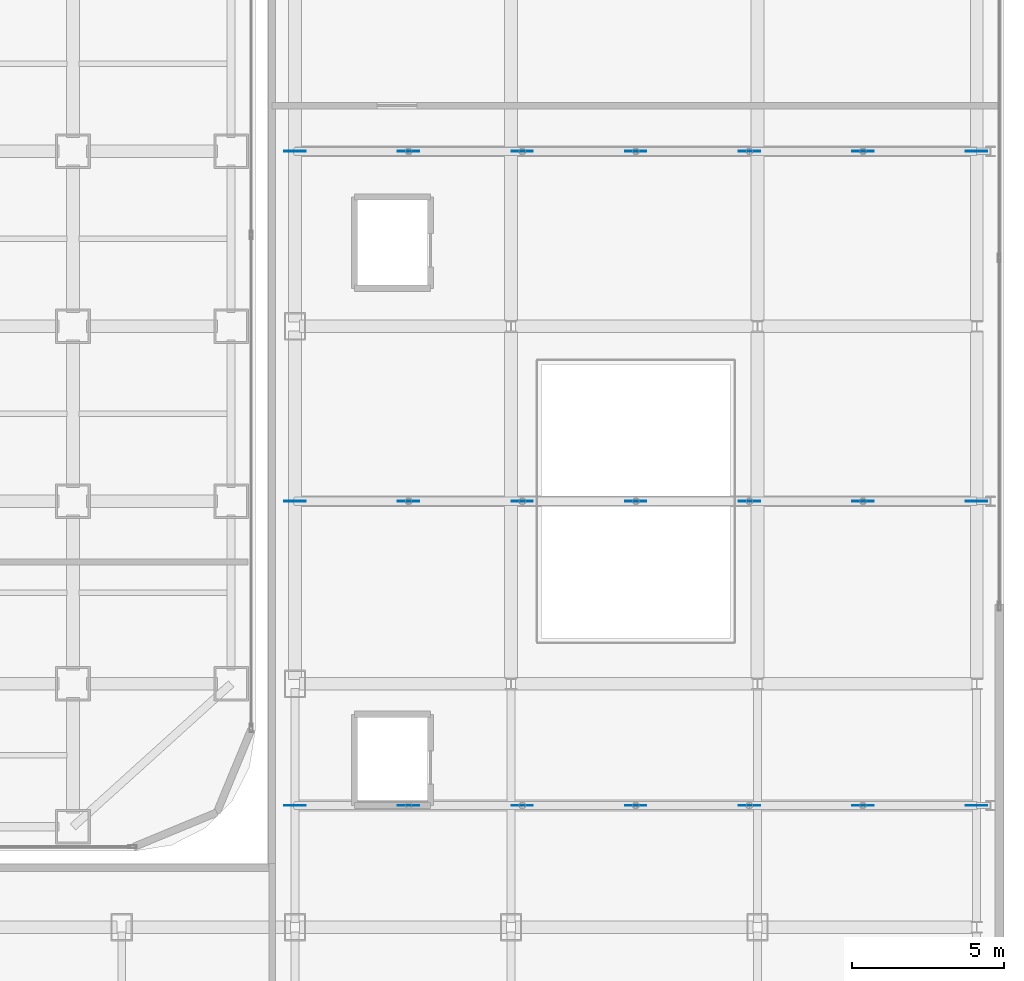
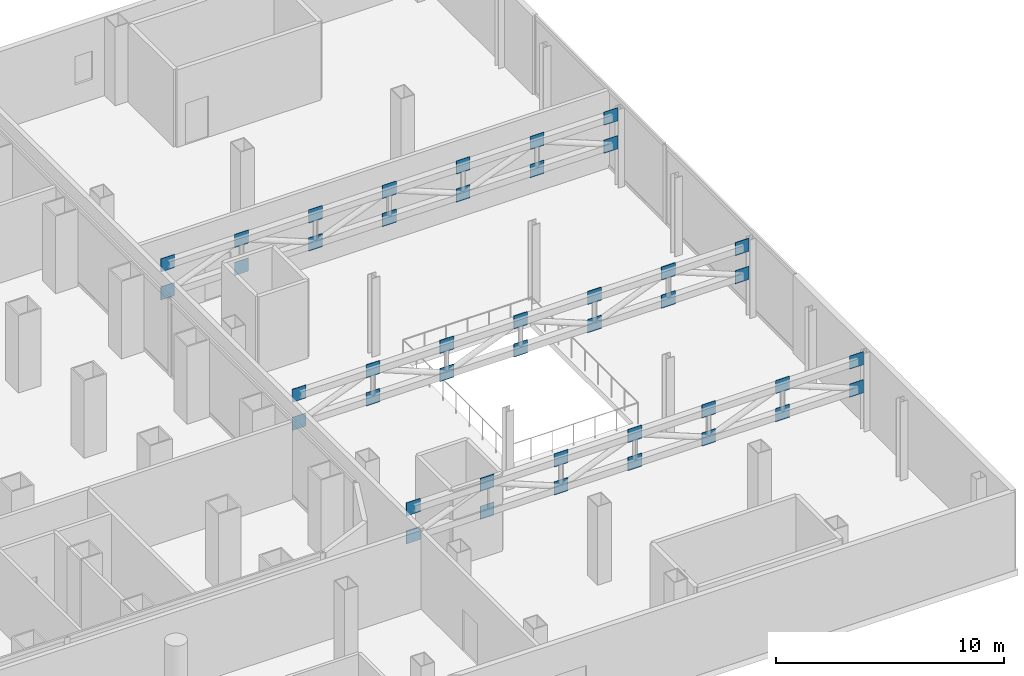
# One storey, part 21 of 28: 42 plates.
"""IFC4 building model written with IfcOpenShell, lengths in metres."""

import ifcopenshell
import ifcopenshell.guid

model = None  # the IFC model being written
_history = None  # IfcOwnerHistory: only IFC2X3 demands one
_inside = {}  # id of a spatial element -> (the spatial element, [elements in it])
_under = {}  # id of a project, library or spatial element -> (it, [spatial elements below it])
_declared = {}  # id of a project -> (the project, [libraries it declares])
_typed = {}  # id of a type object -> (the type object, [elements of that type])
_made_of = {}  # id of a material, layer set ... -> (it, [elements and type objects made of it])


def new_model(schema):
    """Start an empty IFC model of exactly this schema.

    Asked for "IFC4X3", IfcOpenShell would pick the latest addendum, in which some entities
    have other attributes; the version numbers below select the first issue.
    IFC2X3 requires an IfcOwnerHistory on every rooted entity: one is made here for all.
    """
    global model, _history
    if schema == "IFC4X3":
        model = ifcopenshell.file(schema_version=(4, 3, 0, 0))
    else:
        model = ifcopenshell.file(schema=schema)
    _inside.clear()
    _under.clear()
    _declared.clear()
    _typed.clear()
    _made_of.clear()
    _history = None
    if model.schema == "IFC2X3":
        org = make("IfcOrganization", Name="unknown")
        user = make(
            "IfcPersonAndOrganization",
            ThePerson=make("IfcPerson", FamilyName="unknown"),
            TheOrganization=org,
        )
        app = make(
            "IfcApplication",
            ApplicationDeveloper=org,
            Version="unknown",
            ApplicationFullName="unknown",
            ApplicationIdentifier="unknown",
        )
        _history = make(
            "IfcOwnerHistory",
            OwningUser=user,
            OwningApplication=app,
            ChangeAction="ADDED",
            CreationDate=0,
        )
    return model


def make(cls, **values):
    """One entity of the class cls with the attributes given. An attribute that is None is left unset."""
    return model.create_entity(
        cls, **{name: value for name, value in values.items() if value is not None}
    )


def rooted(cls, **values):
    """An entity with a GlobalId (a new one), such as an element, a storey or a relation."""
    return make(cls, GlobalId=ifcopenshell.guid.new(), OwnerHistory=_history, **values)


def si_unit(unit_type, name, prefix=None):
    """IfcSIUnit, for example si_unit("LENGTHUNIT", "METRE", prefix="MILLI")."""
    return make("IfcSIUnit", UnitType=unit_type, Prefix=prefix, Name=name)


def assignment(units):
    """IfcUnitAssignment: the units of a project."""
    return None if units is None else make("IfcUnitAssignment", Units=units)


def point(xyz):
    """IfcCartesianPoint."""
    return None if xyz is None else make("IfcCartesianPoint", Coordinates=xyz)


def direction(xyz):
    """IfcDirection."""
    return None if xyz is None else make("IfcDirection", DirectionRatios=xyz)


def frame(location, z_axis=None, x_axis=None):
    """IfcAxis2Placement3D, a coordinate frame: its origin and axes. An axis left out is left unset."""
    return make(
        "IfcAxis2Placement3D",
        Location=point(location),
        Axis=direction(z_axis),
        RefDirection=direction(x_axis),
    )


def frame_2d(location, x_axis=None):
    """IfcAxis2Placement2D, a coordinate frame in the plane: its origin and x axis."""
    return make(
        "IfcAxis2Placement2D", Location=point(location), RefDirection=direction(x_axis)
    )


def origin():
    """The frame at (0, 0, 0) with its axes left unset."""
    return frame((0.0, 0.0, 0.0))


def origin_2d():
    """The frame at (0, 0) in the plane with its x axis left unset."""
    return frame_2d((0.0, 0.0))


def place(relative_to, where):
    """IfcLocalPlacement: puts the frame where relative to a parent placement (None: the world)."""
    return make(
        "IfcLocalPlacement", PlacementRelTo=relative_to, RelativePlacement=where
    )


def context(
    kind, dimensions, precision=None, world=None, true_north=None, identifier=None
):
    """IfcGeometricRepresentationContext, for example the 3D "Model" context."""
    return make(
        "IfcGeometricRepresentationContext",
        ContextIdentifier=identifier,
        ContextType=kind,
        CoordinateSpaceDimension=dimensions,
        Precision=precision,
        WorldCoordinateSystem=world,
        TrueNorth=true_north,
    )


def subcontext(parent, identifier, kind, view, scale=None):
    """IfcGeometricRepresentationSubContext, for example "Body" below "Model"."""
    return make(
        "IfcGeometricRepresentationSubContext",
        ContextIdentifier=identifier,
        ContextType=kind,
        ParentContext=parent,
        TargetScale=scale,
        TargetView=view,
    )


def project(units=None, contexts=None):
    """IfcProject with its units and contexts."""
    return rooted(
        "IfcProject",
        Name="project",
        RepresentationContexts=contexts,
        UnitsInContext=assignment(units),
    )


def spatial(cls, under=None, at=None, **own):
    """A site, building, storey or space (cls), placed at a placement, below another one or the project."""
    s = rooted(cls, ObjectPlacement=at, **own)
    if under is not None:
        _under.setdefault(under.id(), (under, []))[1].append(s)
    return s


def profile(cls, at=None, kind="AREA", **sizes):
    """A parametric profile (cls). Its sizes go by their IFC names, for example OverallWidth=200.0."""
    return make(cls, ProfileType=kind, Position=at, **sizes)


def rectangle(**sizes):
    """IfcRectangleProfileDef."""
    return profile("IfcRectangleProfileDef", **sizes)


def extrude(swept, where, along, depth):
    """IfcExtrudedAreaSolid: the profile swept, set in the frame where, extruded along a direction by depth."""
    return make(
        "IfcExtrudedAreaSolid",
        SweptArea=swept,
        Position=where,
        ExtrudedDirection=direction(along),
        Depth=depth,
    )


def shape(context_of_items, identifier, shape_type, items):
    """IfcShapeRepresentation: the items that make up one representation, for example the "Body"."""
    return make(
        "IfcShapeRepresentation",
        ContextOfItems=context_of_items,
        RepresentationIdentifier=identifier,
        RepresentationType=shape_type,
        Items=items,
    )


def source(mapping_origin, context_of_items, identifier, shape_type, items):
    """IfcRepresentationMap: a shape defined once, which mapped items show again and again."""
    return make(
        "IfcRepresentationMap",
        MappingOrigin=mapping_origin,
        MappedRepresentation=shape(context_of_items, identifier, shape_type, items),
    )


def transform(
    local_origin,
    x_axis=None,
    y_axis=None,
    z_axis=None,
    scale=None,
    scale2=None,
    scale3=None,
    uniform=True,
):
    """IfcCartesianTransformationOperator3D, or its non-uniform kind. x_axis, y_axis, z_axis: its Axis1, 2, 3."""
    if uniform:
        return make(
            "IfcCartesianTransformationOperator3D",
            Axis1=direction(x_axis),
            Axis2=direction(y_axis),
            LocalOrigin=point(local_origin),
            Scale=scale,
            Axis3=direction(z_axis),
        )
    return make(
        "IfcCartesianTransformationOperator3DnonUniform",
        Axis1=direction(x_axis),
        Axis2=direction(y_axis),
        LocalOrigin=point(local_origin),
        Scale=scale,
        Axis3=direction(z_axis),
        Scale2=scale2,
        Scale3=scale3,
    )


def mapped(mapping_source, mapping_target):
    """IfcMappedItem: shows the shape of a source again, moved by a transform."""
    return make(
        "IfcMappedItem", MappingSource=mapping_source, MappingTarget=mapping_target
    )


def material(Name=None, Category=None):
    """IfcMaterial."""
    return make("IfcMaterial", Name=Name, Category=Category)


def layer(
    of_material, thickness, ventilated=None, Name=None, Category=None, Priority=None
):
    """IfcMaterialLayer: one layer of a wall or slab, of a material (None: an air gap)."""
    return make(
        "IfcMaterialLayer",
        Material=of_material,
        LayerThickness=thickness,
        IsVentilated=ventilated,
        Name=Name,
        Category=Category,
        Priority=Priority,
    )


def layer_set(layers, Name=None):
    """IfcMaterialLayerSet."""
    return make("IfcMaterialLayerSet", MaterialLayers=layers, LayerSetName=Name)


def made_of(thing, what):
    """Note that an element or type object is made of a material, layer set ...; save() writes the relation."""
    if what is not None:
        _made_of.setdefault(what.id(), (what, []))[1].append(thing)
    return thing


def type_object(cls, material=None, **own):
    """A type object (cls), such as IfcWallType, which elements share."""
    return made_of(rooted(cls, **own), material)


def element(
    cls,
    number,
    at=None,
    inside=None,
    cuts=None,
    type_object=None,
    material=None,
    context=None,
    identifier="Body",
    shape_type=None,
    held_by="IfcProductDefinitionShape",
    body=None,
    shapes=None,
    **own,
):
    """One element of the class cls, such as IfcWall. Its Tag is "e" and its number.

    at: its placement. inside: the storey or other place that contains it. cuts: it is an
    opening in that element (IfcRelVoidsElement). A single representation is given by context,
    identifier, shape_type and body (its items); several are given by shapes. held_by: the class
    of the entity that holds the representations. save() writes the other relations.
    """
    e = rooted(cls, Tag="e%d" % number, ObjectPlacement=at, **own)
    if body is not None:
        shapes = [shape(context, identifier, shape_type, body)]
    if shapes is not None:
        e.Representation = make(held_by, Representations=shapes)
    if inside is not None:
        _inside.setdefault(inside.id(), (inside, []))[1].append(e)
    if cuts is not None:
        rooted(
            "IfcRelVoidsElement", RelatingBuildingElement=cuts, RelatedOpeningElement=e
        )
    if type_object is not None:
        _typed.setdefault(type_object.id(), (type_object, []))[1].append(e)
    return made_of(e, material)


def aggregate(whole, parts):
    """IfcRelAggregates: a whole, such as a stair, and the parts it consists of."""
    return rooted("IfcRelAggregates", RelatingObject=whole, RelatedObjects=parts)


def save(model, path):
    """Write the relations noted so far, then the file.

    IfcRelAggregates (storeys below a building ...), IfcRelContainedInSpatialStructure (elements
    in a storey), IfcRelDefinesByType, IfcRelAssociatesMaterial and IfcRelDeclares: one each for
    every whole, place, type object, material and project.
    """
    for whole, parts in _under.values():
        aggregate(whole, parts)
    for where, things in _inside.values():
        rooted(
            "IfcRelContainedInSpatialStructure",
            RelatedElements=things,
            RelatingStructure=where,
        )
    for kind, things in _typed.values():
        rooted("IfcRelDefinesByType", RelatedObjects=things, RelatingType=kind)
    for what, things in _made_of.values():
        rooted("IfcRelAssociatesMaterial", RelatedObjects=things, RelatingMaterial=what)
    for by, libraries in _declared.values():
        rooted("IfcRelDeclares", RelatingContext=by, RelatedDefinitions=libraries)
    model.write(path)


model = new_model("IFC4")

# Units and contexts
model_context = context("Model", 3, precision=1e-05, world=origin(), true_north=direction((0.0, 1.0)))
body_context = subcontext(model_context, "Body", "Model", "MODEL_VIEW")
ifc_project = project(units=[si_unit("LENGTHUNIT", "METRE"), si_unit("AREAUNIT", "SQUARE_METRE"), si_unit("VOLUMEUNIT", "CUBIC_METRE"), si_unit("PLANEANGLEUNIT", "RADIAN"), si_unit("MASSUNIT", "GRAM", prefix="KILO")], contexts=[model_context])

# Site, building, storey
site_placement = place(None, origin())
site = spatial("IfcSite", under=ifc_project, at=site_placement, CompositionType="ELEMENT")
building_placement = place(site_placement, origin())
building = spatial("IfcBuilding", under=site, at=building_placement, Name="Kolveth Station Tower", CompositionType="ELEMENT")
storey_placement = place(building_placement, frame((0.0, 0.0, 18.0)))
storey = spatial("IfcBuildingStorey", under=building, at=storey_placement, Name="L04", CompositionType="ELEMENT", Elevation=18.0)

# Plates
ifc_material = material(Name="Steel S355", Category="steel")
ifc_layer = layer(ifc_material, 0.02490234375)
ifc_layer_set = layer_set([ifc_layer], Name="Steel S355")
plate_type = type_object("IfcPlateType", Name="Plate_GP2", PredefinedType="USERDEFINED", material=ifc_layer_set)
shared_shape = source(origin(), body_context, "Body", "SweptSolid", [
    extrude(rectangle(XDim=0.699951171875, YDim=0.02490234375, at=origin_2d()), origin(), (0.0, 0.0, 1.0), 0.699951171875),
])
for number, where, z_axis, x_axis, name in (
    (1, (48.300048828125, 1.5, 2.0), (0.0, 0.0, 1.0), (1.0, 0.0, 0.0), "Station Roof Truss 1 Panel Gusset 0B"),
    (2, (48.300048828125, 1.5, 3.5), (0.0, 0.0, 1.0), (1.0, 0.0, 0.0), "Station Roof Truss 1 Panel Gusset 0T"),
    (3, (52.032958984375, 1.5, 2.0), (0.0, 0.0, 1.0), (1.0, 0.0, 0.0), "Station Roof Truss 1 Panel Gusset 1B"),
    (4, (52.032958984375, 1.5, 3.5), (0.0, 0.0, 1.0), (1.0, 0.0, 0.0), "Station Roof Truss 1 Panel Gusset 1T"),
    (5, (55.76708984375, 1.5, 2.0), (0.0, 0.0, 1.0), (1.0, 0.0, 0.0), "Station Roof Truss 1 Panel Gusset 2B"),
    (6, (55.76708984375, 1.5, 3.5), (0.0, 0.0, 1.0), (1.0, 0.0, 0.0), "Station Roof Truss 1 Panel Gusset 2T"),
    (7, (59.5, 1.5, 2.0), (0.0, 0.0, 1.0), (1.0, 0.0, 0.0), "Station Roof Truss 1 Panel Gusset 3B"),
    (8, (59.5, 1.5, 3.5), (0.0, 0.0, 1.0), (1.0, 0.0, 0.0), "Station Roof Truss 1 Panel Gusset 3T"),
    (9, (63.23291015625, 1.5, 2.0), (0.0, 0.0, 1.0), (1.0, 0.0, 0.0), "Station Roof Truss 1 Panel Gusset 4B"),
    (10, (63.23291015625, 1.5, 3.5), (0.0, 0.0, 1.0), (1.0, 0.0, 0.0), "Station Roof Truss 1 Panel Gusset 4T"),
    (11, (66.967041015625, 1.5, 2.0), (0.0, 0.0, 1.0), (1.0, 0.0, 0.0), "Station Roof Truss 1 Panel Gusset 5B"),
    (12, (66.967041015625, 1.5, 3.5), (0.0, 0.0, 1.0), (1.0, 0.0, 0.0), "Station Roof Truss 1 Panel Gusset 5T"),
    (13, (70.699951171875, 1.5, 2.0), (0.0, 0.0, 1.0), (1.0, 0.0, 0.0), "Station Roof Truss 1 Panel Gusset 6B"),
    (14, (70.699951171875, 1.5, 3.5), (0.0, 0.0, 1.0), (1.0, 0.0, 0.0), "Station Roof Truss 1 Panel Gusset 6T"),
    (15, (48.300048828125, 11.5, 2.0), (0.0, 0.0, 1.0), (1.0, 0.0, 0.0), "Station Roof Truss 2 Panel Gusset 0B"),
    (16, (48.300048828125, 11.5, 3.5), (0.0, 0.0, 1.0), (1.0, 0.0, 0.0), "Station Roof Truss 2 Panel Gusset 0T"),
    (17, (52.032958984375, 11.5, 2.0), (0.0, 0.0, 1.0), (1.0, 0.0, 0.0), "Station Roof Truss 2 Panel Gusset 1B"),
    (18, (52.032958984375, 11.5, 3.5), (0.0, 0.0, 1.0), (1.0, 0.0, 0.0), "Station Roof Truss 2 Panel Gusset 1T"),
    (19, (55.76708984375, 11.5, 2.0), (0.0, 0.0, 1.0), (1.0, 0.0, 0.0), "Station Roof Truss 2 Panel Gusset 2B"),
    (20, (55.76708984375, 11.5, 3.5), (0.0, 0.0, 1.0), (1.0, 0.0, 0.0), "Station Roof Truss 2 Panel Gusset 2T"),
    (21, (59.5, 11.5, 2.0), (0.0, 0.0, 1.0), (1.0, 0.0, 0.0), "Station Roof Truss 2 Panel Gusset 3B"),
    (22, (59.5, 11.5, 3.5), (0.0, 0.0, 1.0), (1.0, 0.0, 0.0), "Station Roof Truss 2 Panel Gusset 3T"),
    (23, (63.23291015625, 11.5, 2.0), (0.0, 0.0, 1.0), (1.0, 0.0, 0.0), "Station Roof Truss 2 Panel Gusset 4B"),
    (24, (63.23291015625, 11.5, 3.5), (0.0, 0.0, 1.0), (1.0, 0.0, 0.0), "Station Roof Truss 2 Panel Gusset 4T"),
    (25, (66.967041015625, 11.5, 2.0), (0.0, 0.0, 1.0), (1.0, 0.0, 0.0), "Station Roof Truss 2 Panel Gusset 5B"),
    (26, (66.967041015625, 11.5, 3.5), (0.0, 0.0, 1.0), (1.0, 0.0, 0.0), "Station Roof Truss 2 Panel Gusset 5T"),
    (27, (70.699951171875, 11.5, 2.0), (0.0, 0.0, 1.0), (1.0, 0.0, 0.0), "Station Roof Truss 2 Panel Gusset 6B"),
    (28, (70.699951171875, 11.5, 3.5), (0.0, 0.0, 1.0), (1.0, 0.0, 0.0), "Station Roof Truss 2 Panel Gusset 6T"),
    (29, (48.300048828125, 23.0, 2.0), (0.0, 0.0, 1.0), (1.0, 0.0, 0.0), "Station Roof Truss 3 Panel Gusset 0B"),
    (30, (48.300048828125, 23.0, 3.5), (0.0, 0.0, 1.0), (1.0, 0.0, 0.0), "Station Roof Truss 3 Panel Gusset 0T"),
    (31, (52.032958984375, 23.0, 2.0), (0.0, 0.0, 1.0), (1.0, 0.0, 0.0), "Station Roof Truss 3 Panel Gusset 1B"),
    (32, (52.032958984375, 23.0, 3.5), (0.0, 0.0, 1.0), (1.0, 0.0, 0.0), "Station Roof Truss 3 Panel Gusset 1T"),
    (33, (55.76708984375, 23.0, 2.0), (0.0, 0.0, 1.0), (1.0, 0.0, 0.0), "Station Roof Truss 3 Panel Gusset 2B"),
    (34, (55.76708984375, 23.0, 3.5), (0.0, 0.0, 1.0), (1.0, 0.0, 0.0), "Station Roof Truss 3 Panel Gusset 2T"),
    (35, (59.5, 23.0, 2.0), (0.0, 0.0, 1.0), (1.0, 0.0, 0.0), "Station Roof Truss 3 Panel Gusset 3B"),
    (36, (59.5, 23.0, 3.5), (0.0, 0.0, 1.0), (1.0, 0.0, 0.0), "Station Roof Truss 3 Panel Gusset 3T"),
    (37, (63.23291015625, 23.0, 2.0), (0.0, 0.0, 1.0), (1.0, 0.0, 0.0), "Station Roof Truss 3 Panel Gusset 4B"),
    (38, (63.23291015625, 23.0, 3.5), (0.0, 0.0, 1.0), (1.0, 0.0, 0.0), "Station Roof Truss 3 Panel Gusset 4T"),
    (39, (66.967041015625, 23.0, 2.0), (0.0, 0.0, 1.0), (1.0, 0.0, 0.0), "Station Roof Truss 3 Panel Gusset 5B"),
    (40, (66.967041015625, 23.0, 3.5), (0.0, 0.0, 1.0), (1.0, 0.0, 0.0), "Station Roof Truss 3 Panel Gusset 5T"),
    (41, (70.699951171875, 23.0, 2.0), (0.0, 0.0, 1.0), (1.0, 0.0, 0.0), "Station Roof Truss 3 Panel Gusset 6B"),
    (42, (70.699951171875, 23.0, 3.5), (0.0, 0.0, 1.0), (1.0, 0.0, 0.0), "Station Roof Truss 3 Panel Gusset 6T"),
):
    element("IfcPlate", number, at=place(storey_placement, frame(where, z_axis=z_axis, x_axis=x_axis)), inside=storey, type_object=plate_type, Name=name, ObjectType="GUSSET_PLATE", PredefinedType="USERDEFINED", context=body_context, shape_type="MappedRepresentation", body=[
        mapped(shared_shape, transform((0.0, 0.0, 0.0), x_axis=(1.0, 0.0, 0.0), y_axis=(0.0, 1.0, 0.0), z_axis=(0.0, 0.0, 1.0), scale=1.0)),
    ])

save(model, "model.ifc")
